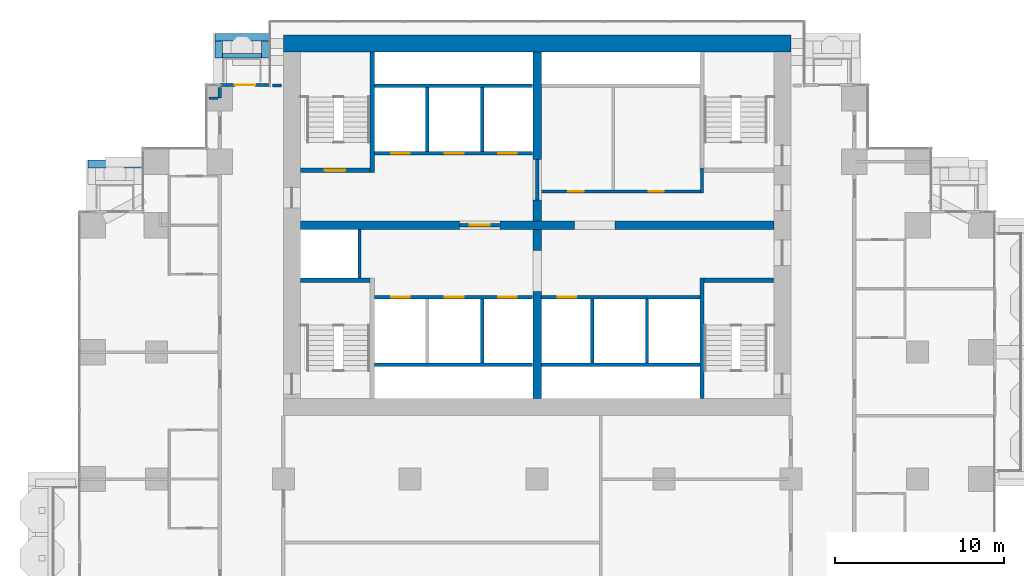
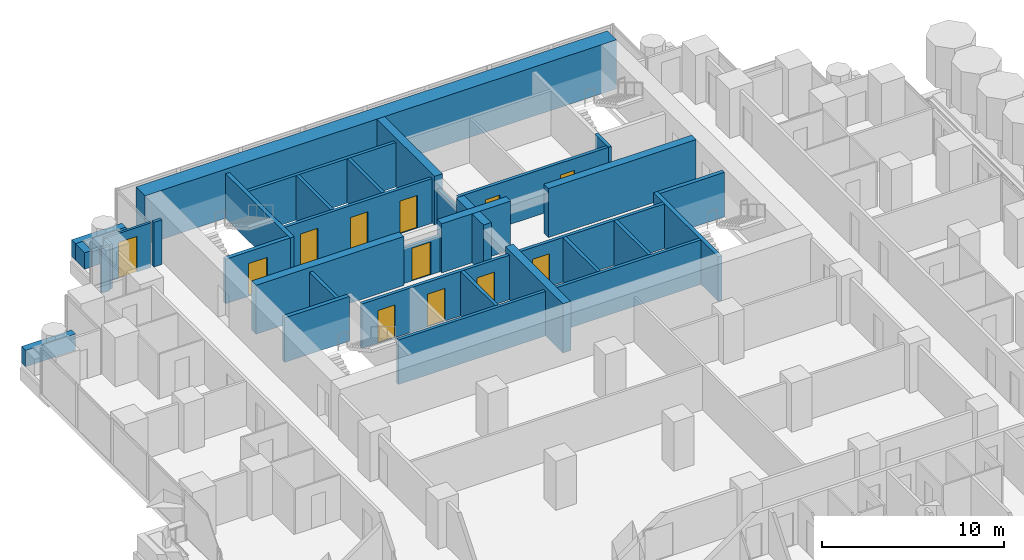
# One storey, part 14 of 19: 38 walls, 12 doors, 12 openings.
"""IFC4 building model written with IfcOpenShell, lengths in metres."""

from ifc_helpers import new_model, si_unit, direction, frame, frame_2d, origin, place, context, subcontext, project, spatial, rectangle, extrude, material, layer, layer_set, type_object, element, fill, save


model = new_model("IFC4")

# Units and contexts
model_context = context("Model", 3, precision=1e-05, world=origin(), true_north=direction((0.0, 1.0)))
body_context = subcontext(model_context, "Body", "Model", "MODEL_VIEW")
ifc_project = project(units=[si_unit("LENGTHUNIT", "METRE"), si_unit("AREAUNIT", "SQUARE_METRE"), si_unit("VOLUMEUNIT", "CUBIC_METRE"), si_unit("PLANEANGLEUNIT", "RADIAN"), si_unit("MASSUNIT", "GRAM", prefix="KILO")], contexts=[model_context])

# Site, building, storey
site_placement = place(None, origin())
site = spatial("IfcSite", under=ifc_project, at=site_placement, CompositionType="ELEMENT")
building_placement = place(site_placement, origin())
building = spatial("IfcBuilding", under=site, at=building_placement, Name="Pilkhan Gate Tower", CompositionType="ELEMENT")
storey_placement = place(building_placement, frame((0.0, 0.0, 72.5)))
storey = spatial("IfcBuildingStorey", under=building, at=storey_placement, Name="L16", CompositionType="ELEMENT", Elevation=72.5)

# Walls
ifc_material_1 = material(Name="Concrete C40/50", Category="concrete")
ifc_layer_1 = layer(ifc_material_1, 0.25)
ifc_layer_set_1 = layer_set([ifc_layer_1], Name="Balcony planter BP250")
wall_type_1 = type_object("IfcWallType", Name="Balcony planter BP250", PredefinedType="USERDEFINED", material=ifc_layer_set_1)
wall_1_placement = place(storey_placement, frame((56.39990234375, 92.52490234375, 0.0), z_axis=(0.0, 0.0, 1.0), x_axis=(1.0, 0.0, 0.0)))
element("IfcWall", 1, at=wall_1_placement, inside=storey, type_object=wall_type_1, Name="Balcony planter L16 N", ObjectType="BALCONY PLANTER", PredefinedType="USERDEFINED", context=body_context, shape_type="SweptSolid", body=[
    extrude(rectangle(XDim=2.300048828125, YDim=0.25, at=frame_2d((1.14990234375, 0.0))), origin(), (0.0, 0.0, 1.0), 1.0),
])
ifc_material_2 = material(Name="Board-marked Concrete C40/50", Category="concrete")
ifc_layer_2 = layer(ifc_material_2, 0.449951171875)
ifc_layer_set_2 = layer_set([ifc_layer_2], Name="Balcony planter lip BL450")
wall_type_2 = type_object("IfcWallType", Name="Balcony planter lip BL450", PredefinedType="USERDEFINED", material=ifc_layer_set_2)
wall_2_placement = place(storey_placement, frame((55.949951171875, 93.625, 0.0), z_axis=(0.0, 0.0, 1.0), x_axis=(1.0, 0.0, 0.0)))
element("IfcWall", 2, at=wall_2_placement, inside=storey, type_object=wall_type_2, Name="Balcony planter L16 N", ObjectType="BALCONY PLANTER", PredefinedType="USERDEFINED", context=body_context, shape_type="SweptSolid", body=[
    extrude(rectangle(XDim=3.199951171875, YDim=0.449951171875, at=frame_2d((1.60009765625, 0.0))), origin(), (0.0, 0.0, 1.0), 1.10009765625),
])
for number, where, z_axis, x_axis, name in (
    (3, (56.175048828125, 92.39990234375, 0.0), (0.0, 0.0, 1.0), (0.0, 1.0, 0.0), "Balcony planter L16 N"),
    (4, (58.925048828125, 92.39990234375, 0.0), (0.0, 0.0, 1.0), (0.0, 1.0, 0.0), "Balcony planter L16 N"),
):
    element("IfcWall", number, at=place(storey_placement, frame(where, z_axis=z_axis, x_axis=x_axis)), inside=storey, type_object=wall_type_2, Name=name, ObjectType="BALCONY PLANTER", PredefinedType="USERDEFINED", context=body_context, shape_type="SweptSolid", body=[
        extrude(rectangle(XDim=1.0, YDim=0.449951171875, at=frame_2d((0.5, 0.0))), origin(), (0.0, 0.0, 1.0), 1.10009765625),
    ])
wall_3_placement = place(storey_placement, frame((48.449951171875, 86.125, 0.0), z_axis=(0.0, 0.0, 1.0), x_axis=(1.0, 0.0, 0.0)))
element("IfcWall", 5, at=wall_3_placement, inside=storey, type_object=wall_type_2, Name="Balcony planter L16 N", ObjectType="BALCONY PLANTER", PredefinedType="USERDEFINED", context=body_context, shape_type="SweptSolid", body=[
    extrude(rectangle(XDim=3.179931640625, YDim=0.449951171875, at=frame_2d((1.58984375, 0.0))), origin(), (0.0, 0.0, 1.0), 1.10009765625),
])
ifc_material_3 = material(Name="Concrete C70/85", Category="concrete")
ifc_layer_3 = layer(ifc_material_3, 1.0)
ifc_layer_set_3 = layer_set([ifc_layer_3], Name="Core wall CW1000 C70/85")
wall_type_3 = type_object("IfcWallType", Name="Core wall CW1000 C70/85", PredefinedType="SHEAR", material=ifc_layer_set_3)
wall_4_placement = place(storey_placement, frame((90.0, 93.25, 0.0), z_axis=(0.0, 0.0, 1.0), x_axis=(-1.0, 0.0, 0.0)))
element("IfcWall", 6, at=wall_4_placement, inside=storey, type_object=wall_type_3, Name="Core wall N L16", PredefinedType="SHEAR", context=body_context, shape_type="SweptSolid", body=[
    extrude(rectangle(XDim=30.0, YDim=1.0, at=frame_2d((15.0, 0.0))), origin(), (0.0, 0.0, 1.0), 3.300048828125),
])
ifc_material_4 = material(Name="Dense blockwork", Category="masonry")
ifc_layer_4 = layer(ifc_material_4, 0.199951171875)
ifc_layer_set_4 = layer_set([ifc_layer_4], Name="Corridor wall FW200")
wall_type_4 = type_object("IfcWallType", Name="Corridor wall FW200", PredefinedType="PARTITIONING", material=ifc_layer_set_4)
wall_5_placement = place(storey_placement, frame((59.35498046875, 90.764892578125, 0.0), z_axis=(0.0, 0.0, 1.0), x_axis=(1.0, 0.0, 0.0)))
element("IfcWall", 7, at=wall_5_placement, inside=storey, type_object=wall_type_4, Name="Partition L16", PredefinedType="PARTITIONING", context=body_context, shape_type="SweptSolid", body=[
    extrude(rectangle(XDim=0.52490234375, YDim=0.199951171875, at=frame_2d((0.262451171875, 0.0))), origin(), (0.0, 0.0, 1.0), 3.0),
])
wall_6_placement = place(storey_placement, frame((56.25, 90.030029296875, 0.0), z_axis=(0.0, 0.0, 1.0), x_axis=(0.0, 1.0, 0.0)))
element("IfcWall", 8, at=wall_6_placement, inside=storey, type_object=wall_type_4, Name="Partition L16", PredefinedType="PARTITIONING", context=body_context, shape_type="SweptSolid", body=[
    extrude(rectangle(XDim=0.614990234375, YDim=0.199951171875, at=frame_2d((0.3076171875, 0.0))), origin(), (0.0, 0.0, 1.0), 3.0),
])

# Wall, opening, door
ifc_material_5 = material(Name="Pale anodised aluminium, clear laminated glazing", Category="aluminium")
ifc_layer_5 = layer(ifc_material_5, 0.14990234375)
ifc_layer_set_5 = layer_set([ifc_layer_5], Name="Facade infill wall IW150")
wall_type_5 = type_object("IfcWallType", Name="Facade infill wall IW150", PredefinedType="SOLIDWALL", material=ifc_layer_set_5)
wall_7_placement = place(storey_placement, frame((56.25, 90.794921875, 0.0), z_axis=(0.0, 0.0, 1.0), x_axis=(1.0, 0.0, 0.0)))
wall_7 = element("IfcWall", 9, at=wall_7_placement, inside=storey, type_object=wall_type_5, Name="Infill wall L16 N", PredefinedType="SOLIDWALL", context=body_context, shape_type="SweptSolid", body=[
    extrude(rectangle(XDim=2.955078125, YDim=0.14990234375, at=frame_2d((1.4775390625, 0.0))), origin(), (0.0, 0.0, 1.0), 3.0),
])
opening_1_placement = place(wall_7_placement, frame((0.87744140625, 0.0, 0.0)))
opening_1 = element("IfcOpeningElement", 10, at=opening_1_placement, cuts=wall_7, Name="Opening D1", PredefinedType="OPENING", context=body_context, shape_type="SweptSolid", body=[
    extrude(rectangle(XDim=1.199951171875, YDim=2.39990234375, at=frame_2d((0.60009765625, 1.199951171875))), frame((0.0, 0.0849609375, 0.0), z_axis=(0.0, -1.0, 0.0), x_axis=(1.0, 0.0, 0.0)), (0.0, 0.0, 1.0), 0.169921875),
])
ifc_material_6 = material(Name="Pale anodised aluminium, clear glazing", Category="aluminium")
door_type_1 = type_object("IfcDoorType", Name="Balcony door D1 1200x2400", OperationType="SINGLE_SWING_LEFT", PredefinedType="DOOR", material=ifc_material_6)
door_1_placement = place(opening_1_placement, origin())
door_1 = element("IfcDoor", 11, at=door_1_placement, inside=storey, type_object=door_type_1, Name="Balcony door L16", OperationType="SINGLE_SWING_LEFT", OverallHeight=2.39990234375, OverallWidth=1.199951171875, PredefinedType="DOOR", context=body_context, shape_type="SweptSolid", body=[
    extrude(rectangle(XDim=1.199951171875, YDim=2.39990234375, at=frame_2d((0.60009765625, 1.199951171875))), frame((0.0, 0.02490234375, 0.0), z_axis=(0.0, -1.0, 0.0), x_axis=(1.0, 0.0, 0.0)), (0.0, 0.0, 1.0), 0.050048828125),
])
fill(opening_1, door_1)

ifc_layer_6 = layer(ifc_material_4, 0.199951171875)
ifc_layer_set_6 = layer_set([ifc_layer_6], Name="Lobby wall LW200")
wall_type_6 = type_object("IfcWallType", Name="Lobby wall LW200", PredefinedType="PARTITIONING", material=ifc_layer_set_6)
wall_8_placement = place(storey_placement, frame((70.409912109375, 82.5, 0.0), z_axis=(0.0, 0.0, 1.0), x_axis=(1.0, 0.0, 0.0)))
wall_8 = element("IfcWall", 12, at=wall_8_placement, inside=storey, type_object=wall_type_6, Name="Partition L16", PredefinedType="PARTITIONING", context=body_context, shape_type="SweptSolid", body=[
    extrude(rectangle(XDim=2.380126953125, YDim=0.199951171875, at=frame_2d((1.18994140625, 0.0))), origin(), (0.0, 0.0, 1.0), 2.39990234375),
])
opening_2_placement = place(wall_8_placement, frame((0.60009765625, 0.0, 0.0)))
opening_2 = element("IfcOpeningElement", 13, at=opening_2_placement, cuts=wall_8, Name="Opening L16-01", PredefinedType="OPENING", context=body_context, shape_type="SweptSolid", body=[
    extrude(rectangle(XDim=1.199951171875, YDim=2.199951171875, at=frame_2d((0.60009765625, 1.10009765625))), frame((0.0, 0.10986328125, 0.0), z_axis=(0.0, -1.0, 0.0), x_axis=(1.0, 0.0, 0.0)), (0.0, 0.0, 1.0), 0.219970703125),
])
ifc_material_7 = material(Name="Steel door, 120 minute fire resisting, self-closing", Category="steel")
door_type_2 = type_object("IfcDoorType", Name="Firefighting lobby door D10 1200x2200", OperationType="SINGLE_SWING_LEFT", PredefinedType="DOOR", material=ifc_material_7)
door_2_placement = place(opening_2_placement, origin())
door_2 = element("IfcDoor", 14, at=door_2_placement, inside=storey, type_object=door_type_2, Name="Firefighting lobby door", OperationType="SINGLE_SWING_LEFT", OverallHeight=2.199951171875, OverallWidth=1.199951171875, PredefinedType="DOOR", context=body_context, shape_type="SweptSolid", body=[
    extrude(rectangle(XDim=1.199951171875, YDim=2.199951171875, at=frame_2d((0.60009765625, 1.10009765625))), frame((0.0, 0.02490234375, 0.0), z_axis=(0.0, -1.0, 0.0), x_axis=(1.0, 0.0, 0.0)), (0.0, 0.0, 1.0), 0.050048828125),
])
fill(opening_2, door_2)

# Wall, openings, doors
wall_9_placement = place(storey_placement, frame((75.10009765625, 84.5, 0.0), z_axis=(0.0, 0.0, 1.0), x_axis=(1.0, 0.0, 0.0)))
wall_9 = element("IfcWall", 15, at=wall_9_placement, inside=storey, type_object=wall_type_6, Name="Partition L16", PredefinedType="PARTITIONING", context=body_context, shape_type="SweptSolid", body=[
    extrude(rectangle(XDim=9.5498046875, YDim=0.199951171875, at=frame_2d((4.77490234375, 0.0))), origin(), (0.0, 0.0, 1.0), 3.0),
])
opening_3_placement = place(wall_9_placement, frame((1.75, 0.0, 0.0)))
opening_3 = element("IfcOpeningElement", 16, at=opening_3_placement, cuts=wall_9, Name="Opening L16-49", PredefinedType="OPENING", context=body_context, shape_type="SweptSolid", body=[
    extrude(rectangle(XDim=0.89990234375, YDim=2.199951171875, at=frame_2d((0.449951171875, 1.10009765625))), frame((0.0, 0.10986328125, 0.0), z_axis=(0.0, -1.0, 0.0), x_axis=(1.0, 0.0, 0.0)), (0.0, 0.0, 1.0), 0.219970703125),
])
opening_4_placement = place(wall_9_placement, frame((6.5, 0.0, 0.0)))
opening_4 = element("IfcOpeningElement", 17, at=opening_4_placement, cuts=wall_9, Name="Opening L16-50", PredefinedType="OPENING", context=body_context, shape_type="SweptSolid", body=[
    extrude(rectangle(XDim=0.89990234375, YDim=2.199951171875, at=frame_2d((0.449951171875, 1.10009765625))), frame((0.0, 0.10986328125, 0.0), z_axis=(0.0, -1.0, 0.0), x_axis=(1.0, 0.0, 0.0)), (0.0, 0.0, 1.0), 0.219970703125),
])
ifc_material_8 = material(Name="Timber flush door, 60 minute fire resisting, self-closing", Category="wood")
door_type_3 = type_object("IfcDoorType", Name="Store door D05 900x2200", OperationType="SINGLE_SWING_LEFT", PredefinedType="DOOR", material=ifc_material_8)
door_3_placement = place(opening_3_placement, origin())
door_3 = element("IfcDoor", 18, at=door_3_placement, inside=storey, type_object=door_type_3, Name="Store door", OperationType="SINGLE_SWING_LEFT", OverallHeight=2.199951171875, OverallWidth=0.89990234375, PredefinedType="DOOR", context=body_context, shape_type="SweptSolid", body=[
    extrude(rectangle(XDim=0.89990234375, YDim=2.199951171875, at=frame_2d((0.449951171875, 1.10009765625))), frame((0.0, 0.02490234375, 0.0), z_axis=(0.0, -1.0, 0.0), x_axis=(1.0, 0.0, 0.0)), (0.0, 0.0, 1.0), 0.050048828125),
])
fill(opening_3, door_3)
door_4_placement = place(opening_4_placement, origin())
door_4 = element("IfcDoor", 19, at=door_4_placement, inside=storey, type_object=door_type_3, Name="Store door", OperationType="SINGLE_SWING_LEFT", OverallHeight=2.199951171875, OverallWidth=0.89990234375, PredefinedType="DOOR", context=body_context, shape_type="SweptSolid", body=[
    extrude(rectangle(XDim=0.89990234375, YDim=2.199951171875, at=frame_2d((0.449951171875, 1.10009765625))), frame((0.0, 0.02490234375, 0.0), z_axis=(0.0, -1.0, 0.0), x_axis=(1.0, 0.0, 0.0)), (0.0, 0.0, 1.0), 0.050048828125),
])
fill(opening_4, door_4)

# Walls
wall_10_placement = place(storey_placement, frame((75.0, 84.010009765625, 0.0), z_axis=(0.0, 0.0, 1.0), x_axis=(0.0, 1.0, 0.0)))
element("IfcWall", 20, at=wall_10_placement, inside=storey, type_object=wall_type_6, Name="Partition L16", PredefinedType="PARTITIONING", context=body_context, shape_type="SweptSolid", body=[
    extrude(rectangle(XDim=2.3798828125, YDim=0.199951171875, at=frame_2d((1.18994140625, 0.0))), origin(), (0.0, 0.0, 1.0), 2.39990234375),
])
wall_11_placement = place(storey_placement, frame((84.75, 84.39990234375, 0.0), z_axis=(0.0, 0.0, 1.0), x_axis=(0.0, 1.0, 0.0)))
element("IfcWall", 21, at=wall_11_placement, inside=storey, type_object=wall_type_6, Name="Partition L16", PredefinedType="PARTITIONING", context=body_context, shape_type="SweptSolid", body=[
    extrude(rectangle(XDim=1.47509765625, YDim=0.199951171875, at=frame_2d((0.737548828125, 0.0))), origin(), (0.0, 0.0, 1.0), 3.0),
])
ifc_material_9 = material(Name="Blockwork partition, plastered both sides", Category="masonry")
ifc_layer_7 = layer(ifc_material_9, 0.14990234375)
ifc_layer_set_7 = layer_set([ifc_layer_7], Name="Partition PW150")
wall_type_7 = type_object("IfcWallType", Name="Partition PW150", PredefinedType="PARTITIONING", material=ifc_layer_set_7)
wall_12_placement = place(storey_placement, frame((55.60498046875, 90.0, 0.0), z_axis=(0.0, 0.0, 1.0), x_axis=(1.0, 0.0, 0.0)))
element("IfcWall", 22, at=wall_12_placement, inside=storey, type_object=wall_type_7, Name="Partition L16", PredefinedType="PARTITIONING", context=body_context, shape_type="SweptSolid", body=[
    extrude(rectangle(XDim=0.544921875, YDim=0.14990234375, at=frame_2d((0.2724609375, 0.0))), origin(), (0.0, 0.0, 1.0), 3.0),
])
ifc_material_10 = material(Name="Reinforced blockwork shaft wall, 120 minute fire resisting", Category="masonry")
ifc_layer_8 = layer(ifc_material_10, 0.199951171875)
ifc_layer_set_8 = layer_set([ifc_layer_8], Name="Shaft wall SW200")
wall_type_8 = type_object("IfcWallType", Name="Shaft wall SW200", PredefinedType="PARTITIONING", material=ifc_layer_set_8)
for number, where, z_axis, x_axis, name in (
    (23, (65.375, 74.25, 0.0), (0.0, 0.0, 1.0), (1.0, 0.0, 0.0), "Partition L16"),
    (24, (75.260009765625, 74.25, 0.0), (0.0, 0.0, 1.0), (1.0, 0.0, 0.0), "Partition L16"),
):
    element("IfcWall", number, at=place(storey_placement, frame(where, z_axis=z_axis, x_axis=x_axis)), inside=storey, type_object=wall_type_8, Name=name, PredefinedType="PARTITIONING", context=body_context, shape_type="SweptSolid", body=[
        extrude(rectangle(XDim=9.364990234375, YDim=0.199951171875, at=frame_2d((4.6826171875, 0.0))), origin(), (0.0, 0.0, 1.0), 3.0),
    ])

# Wall, openings, doors
wall_13_placement = place(storey_placement, frame((65.375, 78.25, 0.0), z_axis=(0.0, 0.0, 1.0), x_axis=(1.0, 0.0, 0.0)))
wall_13 = element("IfcWall", 25, at=wall_13_placement, inside=storey, type_object=wall_type_8, Name="Partition L16", PredefinedType="PARTITIONING", context=body_context, shape_type="SweptSolid", body=[
    extrude(rectangle(XDim=9.364990234375, YDim=0.199951171875, at=frame_2d((4.6826171875, 0.0))), origin(), (0.0, 0.0, 1.0), 3.0),
])
opening_5_placement = place(wall_13_placement, frame((1.0, 0.0, 0.0)))
opening_5 = element("IfcOpeningElement", 26, at=opening_5_placement, cuts=wall_13, Name="Opening LD", PredefinedType="OPENING", context=body_context, shape_type="SweptSolid", body=[
    extrude(rectangle(XDim=1.10009765625, YDim=2.199951171875, at=frame_2d((0.550048828125, 1.10009765625))), frame((0.0, 0.10986328125, 0.0), z_axis=(0.0, -1.0, 0.0), x_axis=(1.0, 0.0, 0.0)), (0.0, 0.0, 1.0), 0.219970703125),
])
opening_6_placement = place(wall_13_placement, frame((4.175048828125, 0.0, 0.0)))
opening_6 = element("IfcOpeningElement", 27, at=opening_6_placement, cuts=wall_13, Name="Opening LD", PredefinedType="OPENING", context=body_context, shape_type="SweptSolid", body=[
    extrude(rectangle(XDim=1.10009765625, YDim=2.199951171875, at=frame_2d((0.550048828125, 1.10009765625))), frame((0.0, 0.10986328125, 0.0), z_axis=(0.0, -1.0, 0.0), x_axis=(1.0, 0.0, 0.0)), (0.0, 0.0, 1.0), 0.219970703125),
])
opening_7_placement = place(wall_13_placement, frame((7.324951171875, 0.0, 0.0)))
opening_7 = element("IfcOpeningElement", 28, at=opening_7_placement, cuts=wall_13, Name="Opening LD", PredefinedType="OPENING", context=body_context, shape_type="SweptSolid", body=[
    extrude(rectangle(XDim=1.10009765625, YDim=2.199951171875, at=frame_2d((0.550048828125, 1.10009765625))), frame((0.0, 0.10986328125, 0.0), z_axis=(0.0, -1.0, 0.0), x_axis=(1.0, 0.0, 0.0)), (0.0, 0.0, 1.0), 0.219970703125),
])
ifc_material_11 = material(Name="Stainless steel centre-opening landing door, 120 minute fire resisting", Category="steel")
door_type_4 = type_object("IfcDoorType", Name="Lift landing door LD 1100x2200", OperationType="DOUBLE_DOOR_SLIDING", PredefinedType="DOOR", material=ifc_material_11)
door_5_placement = place(opening_5_placement, origin())
door_5 = element("IfcDoor", 29, at=door_5_placement, inside=storey, type_object=door_type_4, Name="Landing door LR1", OperationType="DOUBLE_DOOR_SLIDING", OverallHeight=2.199951171875, OverallWidth=1.10009765625, PredefinedType="DOOR", context=body_context, shape_type="SweptSolid", body=[
    extrude(rectangle(XDim=1.10009765625, YDim=2.199951171875, at=frame_2d((0.550048828125, 1.10009765625))), frame((0.0, 0.02490234375, 0.0), z_axis=(0.0, -1.0, 0.0), x_axis=(1.0, 0.0, 0.0)), (0.0, 0.0, 1.0), 0.050048828125),
])
fill(opening_5, door_5)
door_6_placement = place(opening_6_placement, origin())
door_6 = element("IfcDoor", 30, at=door_6_placement, inside=storey, type_object=door_type_4, Name="Landing door LR2", OperationType="DOUBLE_DOOR_SLIDING", OverallHeight=2.199951171875, OverallWidth=1.10009765625, PredefinedType="DOOR", context=body_context, shape_type="SweptSolid", body=[
    extrude(rectangle(XDim=1.10009765625, YDim=2.199951171875, at=frame_2d((0.550048828125, 1.10009765625))), frame((0.0, 0.02490234375, 0.0), z_axis=(0.0, -1.0, 0.0), x_axis=(1.0, 0.0, 0.0)), (0.0, 0.0, 1.0), 0.050048828125),
])
fill(opening_6, door_6)
door_7_placement = place(opening_7_placement, origin())
door_7 = element("IfcDoor", 31, at=door_7_placement, inside=storey, type_object=door_type_4, Name="Landing door LR3", OperationType="DOUBLE_DOOR_SLIDING", OverallHeight=2.199951171875, OverallWidth=1.10009765625, PredefinedType="DOOR", context=body_context, shape_type="SweptSolid", body=[
    extrude(rectangle(XDim=1.10009765625, YDim=2.199951171875, at=frame_2d((0.550048828125, 1.10009765625))), frame((0.0, 0.02490234375, 0.0), z_axis=(0.0, -1.0, 0.0), x_axis=(1.0, 0.0, 0.0)), (0.0, 0.0, 1.0), 0.050048828125),
])
fill(opening_7, door_7)

# Wall, opening, door
wall_14_placement = place(storey_placement, frame((75.260009765625, 78.25, 0.0), z_axis=(0.0, 0.0, 1.0), x_axis=(1.0, 0.0, 0.0)))
wall_14 = element("IfcWall", 32, at=wall_14_placement, inside=storey, type_object=wall_type_8, Name="Partition L16", PredefinedType="PARTITIONING", context=body_context, shape_type="SweptSolid", body=[
    extrude(rectangle(XDim=9.364990234375, YDim=0.199951171875, at=frame_2d((4.6826171875, 0.0))), origin(), (0.0, 0.0, 1.0), 3.0),
])
opening_8_placement = place(wall_14_placement, frame((0.949951171875, 0.0, 0.0)))
opening_8 = element("IfcOpeningElement", 33, at=opening_8_placement, cuts=wall_14, Name="Opening LD", PredefinedType="OPENING", context=body_context, shape_type="SweptSolid", body=[
    extrude(rectangle(XDim=1.10009765625, YDim=2.199951171875, at=frame_2d((0.550048828125, 1.10009765625))), frame((0.0, 0.10986328125, 0.0), z_axis=(0.0, -1.0, 0.0), x_axis=(1.0, 0.0, 0.0)), (0.0, 0.0, 1.0), 0.219970703125),
])
door_8_placement = place(opening_8_placement, origin())
door_8 = element("IfcDoor", 34, at=door_8_placement, inside=storey, type_object=door_type_4, Name="Landing door LR4", OperationType="DOUBLE_DOOR_SLIDING", OverallHeight=2.199951171875, OverallWidth=1.10009765625, PredefinedType="DOOR", context=body_context, shape_type="SweptSolid", body=[
    extrude(rectangle(XDim=1.10009765625, YDim=2.199951171875, at=frame_2d((0.550048828125, 1.10009765625))), frame((0.0, 0.02490234375, 0.0), z_axis=(0.0, -1.0, 0.0), x_axis=(1.0, 0.0, 0.0)), (0.0, 0.0, 1.0), 0.050048828125),
])
fill(opening_8, door_8)

# Wall, openings, doors
wall_15_placement = place(storey_placement, frame((65.375, 86.75, 0.0), z_axis=(0.0, 0.0, 1.0), x_axis=(1.0, 0.0, 0.0)))
wall_15 = element("IfcWall", 35, at=wall_15_placement, inside=storey, type_object=wall_type_8, Name="Partition L16", PredefinedType="PARTITIONING", context=body_context, shape_type="SweptSolid", body=[
    extrude(rectangle(XDim=9.364990234375, YDim=0.199951171875, at=frame_2d((4.6826171875, 0.0))), origin(), (0.0, 0.0, 1.0), 3.0),
])
opening_9_placement = place(wall_15_placement, frame((1.0, 0.0, 0.0)))
opening_9 = element("IfcOpeningElement", 36, at=opening_9_placement, cuts=wall_15, Name="Opening LD", PredefinedType="OPENING", context=body_context, shape_type="SweptSolid", body=[
    extrude(rectangle(XDim=1.10009765625, YDim=2.199951171875, at=frame_2d((0.550048828125, 1.10009765625))), frame((0.0, 0.10986328125, 0.0), z_axis=(0.0, -1.0, 0.0), x_axis=(1.0, 0.0, 0.0)), (0.0, 0.0, 1.0), 0.219970703125),
])
opening_10_placement = place(wall_15_placement, frame((4.175048828125, 0.0, 0.0)))
opening_10 = element("IfcOpeningElement", 37, at=opening_10_placement, cuts=wall_15, Name="Opening LD", PredefinedType="OPENING", context=body_context, shape_type="SweptSolid", body=[
    extrude(rectangle(XDim=1.10009765625, YDim=2.199951171875, at=frame_2d((0.550048828125, 1.10009765625))), frame((0.0, 0.10986328125, 0.0), z_axis=(0.0, -1.0, 0.0), x_axis=(1.0, 0.0, 0.0)), (0.0, 0.0, 1.0), 0.219970703125),
])
opening_11_placement = place(wall_15_placement, frame((7.324951171875, 0.0, 0.0)))
opening_11 = element("IfcOpeningElement", 38, at=opening_11_placement, cuts=wall_15, Name="Opening LD", PredefinedType="OPENING", context=body_context, shape_type="SweptSolid", body=[
    extrude(rectangle(XDim=1.10009765625, YDim=2.199951171875, at=frame_2d((0.550048828125, 1.10009765625))), frame((0.0, 0.10986328125, 0.0), z_axis=(0.0, -1.0, 0.0), x_axis=(1.0, 0.0, 0.0)), (0.0, 0.0, 1.0), 0.219970703125),
])
door_9_placement = place(opening_9_placement, origin())
door_9 = element("IfcDoor", 39, at=door_9_placement, inside=storey, type_object=door_type_4, Name="Landing door FF1", OperationType="DOUBLE_DOOR_SLIDING", OverallHeight=2.199951171875, OverallWidth=1.10009765625, PredefinedType="DOOR", context=body_context, shape_type="SweptSolid", body=[
    extrude(rectangle(XDim=1.10009765625, YDim=2.199951171875, at=frame_2d((0.550048828125, 1.10009765625))), frame((0.0, 0.02490234375, 0.0), z_axis=(0.0, -1.0, 0.0), x_axis=(1.0, 0.0, 0.0)), (0.0, 0.0, 1.0), 0.050048828125),
])
fill(opening_9, door_9)
door_10_placement = place(opening_10_placement, origin())
door_10 = element("IfcDoor", 40, at=door_10_placement, inside=storey, type_object=door_type_4, Name="Landing door FF2", OperationType="DOUBLE_DOOR_SLIDING", OverallHeight=2.199951171875, OverallWidth=1.10009765625, PredefinedType="DOOR", context=body_context, shape_type="SweptSolid", body=[
    extrude(rectangle(XDim=1.10009765625, YDim=2.199951171875, at=frame_2d((0.550048828125, 1.10009765625))), frame((0.0, 0.02490234375, 0.0), z_axis=(0.0, -1.0, 0.0), x_axis=(1.0, 0.0, 0.0)), (0.0, 0.0, 1.0), 0.050048828125),
])
fill(opening_10, door_10)
door_11_placement = place(opening_11_placement, origin())
door_11 = element("IfcDoor", 41, at=door_11_placement, inside=storey, type_object=door_type_4, Name="Landing door SV1", OperationType="DOUBLE_DOOR_SLIDING", OverallHeight=2.199951171875, OverallWidth=1.10009765625, PredefinedType="DOOR", context=body_context, shape_type="SweptSolid", body=[
    extrude(rectangle(XDim=1.10009765625, YDim=2.199951171875, at=frame_2d((0.550048828125, 1.10009765625))), frame((0.0, 0.02490234375, 0.0), z_axis=(0.0, -1.0, 0.0), x_axis=(1.0, 0.0, 0.0)), (0.0, 0.0, 1.0), 0.050048828125),
])
fill(opening_11, door_11)

# Walls
wall_16_placement = place(storey_placement, frame((65.375, 90.75, 0.0), z_axis=(0.0, 0.0, 1.0), x_axis=(1.0, 0.0, 0.0)))
element("IfcWall", 42, at=wall_16_placement, inside=storey, type_object=wall_type_8, Name="Partition L16", PredefinedType="PARTITIONING", context=body_context, shape_type="SweptSolid", body=[
    extrude(rectangle(XDim=9.364990234375, YDim=0.199951171875, at=frame_2d((4.6826171875, 0.0))), origin(), (0.0, 0.0, 1.0), 3.0),
])
wall_17_placement = place(storey_placement, frame((64.5, 79.375, 0.0), z_axis=(0.0, 0.0, 1.0), x_axis=(0.0, 1.0, 0.0)))
element("IfcWall", 43, at=wall_17_placement, inside=storey, type_object=wall_type_8, Name="Partition L16", PredefinedType="PARTITIONING", context=body_context, shape_type="SweptSolid", body=[
    extrude(rectangle(XDim=2.864990234375, YDim=0.199951171875, at=frame_2d((1.4326171875, 0.0))), origin(), (0.0, 0.0, 1.0), 3.0),
])
for number, where, z_axis, x_axis, name in (
    (44, (68.5, 86.85009765625, 0.0), (0.0, 0.0, 1.0), (0.0, 1.0, 0.0), "Partition L16"),
    (45, (71.75, 74.35009765625, 0.0), (0.0, 0.0, 1.0), (0.0, 1.0, 0.0), "Partition L16"),
    (46, (71.75, 86.85009765625, 0.0), (0.0, 0.0, 1.0), (0.0, 1.0, 0.0), "Partition L16"),
    (47, (78.25, 74.35009765625, 0.0), (0.0, 0.0, 1.0), (0.0, 1.0, 0.0), "Partition L16"),
    (48, (81.5, 74.35009765625, 0.0), (0.0, 0.0, 1.0), (0.0, 1.0, 0.0), "Partition L16"),
):
    element("IfcWall", number, at=place(storey_placement, frame(where, z_axis=z_axis, x_axis=x_axis)), inside=storey, type_object=wall_type_8, Name=name, PredefinedType="PARTITIONING", context=body_context, shape_type="SweptSolid", body=[
        extrude(rectangle(XDim=3.7998046875, YDim=0.199951171875, at=frame_2d((1.89990234375, 0.0))), origin(), (0.0, 0.0, 1.0), 3.0),
    ])
ifc_layer_9 = layer(ifc_material_3, 0.5)
ifc_layer_set_9 = layer_set([ifc_layer_9], Name="Spine wall SW500 C70/85")
wall_type_9 = type_object("IfcWallType", Name="Spine wall SW500 C70/85", PredefinedType="SHEAR", material=ifc_layer_set_9)
wall_18_placement = place(storey_placement, frame((61.0, 82.5, 0.0), z_axis=(0.0, 0.0, 1.0), x_axis=(1.0, 0.0, 0.0)))
element("IfcWall", 49, at=wall_18_placement, inside=storey, type_object=wall_type_9, Name="Spine wall SP-EW1 L16", PredefinedType="SHEAR", context=body_context, shape_type="SweptSolid", body=[
    extrude(rectangle(XDim=9.39990234375, YDim=0.5, at=frame_2d((4.699951171875, 0.0))), origin(), (0.0, 0.0, 1.0), 3.300048828125),
])
wall_19_placement = place(storey_placement, frame((72.800048828125, 82.5, 0.0), z_axis=(0.0, 0.0, 1.0), x_axis=(1.0, 0.0, 0.0)))
element("IfcWall", 50, at=wall_19_placement, inside=storey, type_object=wall_type_9, Name="Spine wall SP-EW2 L16", PredefinedType="SHEAR", context=body_context, shape_type="SweptSolid", body=[
    extrude(rectangle(XDim=4.39990234375, YDim=0.5, at=frame_2d((2.199951171875, 0.0))), origin(), (0.0, 0.0, 1.0), 3.300048828125),
])
wall_20_placement = place(storey_placement, frame((79.60009765625, 82.5, 0.0), z_axis=(0.0, 0.0, 1.0), x_axis=(1.0, 0.0, 0.0)))
element("IfcWall", 51, at=wall_20_placement, inside=storey, type_object=wall_type_9, Name="Spine wall SP-EW3 L16", PredefinedType="SHEAR", context=body_context, shape_type="SweptSolid", body=[
    extrude(rectangle(XDim=9.39990234375, YDim=0.5, at=frame_2d((4.699951171875, 0.0))), origin(), (0.0, 0.0, 1.0), 3.300048828125),
])
wall_21_placement = place(storey_placement, frame((75.0, 72.25, 0.0), z_axis=(0.0, 0.0, 1.0), x_axis=(0.0, 1.0, 0.0)))
element("IfcWall", 52, at=wall_21_placement, inside=storey, type_object=wall_type_9, Name="Spine wall SP-NS-S1 L16", PredefinedType="SHEAR", context=body_context, shape_type="SweptSolid", body=[
    extrude(rectangle(XDim=6.35009765625, YDim=0.5, at=frame_2d((3.175048828125, 0.0))), origin(), (0.0, 0.0, 1.0), 3.300048828125),
])
for number, where, z_axis, x_axis, name in (
    (53, (75.0, 81.0, 0.0), (0.0, 0.0, 1.0), (0.0, 1.0, 0.0), "Spine wall SP-NS-S2 L16"),
    (54, (75.0, 82.75, 0.0), (0.0, 0.0, 1.0), (0.0, 1.0, 0.0), "Spine wall SP-NS-N1 L16"),
):
    element("IfcWall", number, at=place(storey_placement, frame(where, z_axis=z_axis, x_axis=x_axis)), inside=storey, type_object=wall_type_9, Name=name, PredefinedType="SHEAR", context=body_context, shape_type="SweptSolid", body=[
        extrude(rectangle(XDim=1.25, YDim=0.5, at=frame_2d((0.625, 0.0))), origin(), (0.0, 0.0, 1.0), 3.300048828125),
    ])
wall_22_placement = place(storey_placement, frame((75.0, 86.39990234375, 0.0), z_axis=(0.0, 0.0, 1.0), x_axis=(0.0, 1.0, 0.0)))
element("IfcWall", 55, at=wall_22_placement, inside=storey, type_object=wall_type_9, Name="Spine wall SP-NS-N2 L16", PredefinedType="SHEAR", context=body_context, shape_type="SweptSolid", body=[
    extrude(rectangle(XDim=6.35009765625, YDim=0.5, at=frame_2d((3.175048828125, 0.0))), origin(), (0.0, 0.0, 1.0), 3.300048828125),
])
ifc_material_12 = material(Name="Reinforced blockwork, 120 minute fire resisting", Category="masonry")
ifc_layer_10 = layer(ifc_material_12, 0.25)
ifc_layer_set_10 = layer_set([ifc_layer_10], Name="Stair enclosure wall SE250")
wall_type_10 = type_object("IfcWallType", Name="Stair enclosure wall SE250", PredefinedType="PARTITIONING", material=ifc_layer_set_10)
for number, where, z_axis, x_axis, name in (
    (56, (61.010009765625, 79.25, 0.0), (0.0, 0.0, 1.0), (1.0, 0.0, 0.0), "Partition L16"),
    (57, (84.875, 79.25, 0.0), (0.0, 0.0, 1.0), (1.0, 0.0, 0.0), "Partition L16"),
):
    element("IfcWall", number, at=place(storey_placement, frame(where, z_axis=z_axis, x_axis=x_axis)), inside=storey, type_object=wall_type_10, Name=name, PredefinedType="PARTITIONING", context=body_context, shape_type="SweptSolid", body=[
        extrude(rectangle(XDim=4.114990234375, YDim=0.25, at=frame_2d((2.0576171875, 0.0))), origin(), (0.0, 0.0, 1.0), 3.0),
    ])

# Wall, opening, door
wall_23_placement = place(storey_placement, frame((61.010009765625, 85.75, 0.0), z_axis=(0.0, 0.0, 1.0), x_axis=(1.0, 0.0, 0.0)))
wall_23 = element("IfcWall", 58, at=wall_23_placement, inside=storey, type_object=wall_type_10, Name="Partition L16", PredefinedType="PARTITIONING", context=body_context, shape_type="SweptSolid", body=[
    extrude(rectangle(XDim=4.114990234375, YDim=0.25, at=frame_2d((2.0576171875, 0.0))), origin(), (0.0, 0.0, 1.0), 3.0),
])
opening_12_placement = place(wall_23_placement, frame((1.449951171875, 0.0, 0.0)))
opening_12 = element("IfcOpeningElement", 59, at=opening_12_placement, cuts=wall_23, Name="Opening L16-02", PredefinedType="OPENING", context=body_context, shape_type="SweptSolid", body=[
    extrude(rectangle(XDim=1.199951171875, YDim=2.199951171875, at=frame_2d((0.60009765625, 1.10009765625))), frame((0.0, 0.135009765625, 0.0), z_axis=(0.0, -1.0, 0.0), x_axis=(1.0, 0.0, 0.0)), (0.0, 0.0, 1.0), 0.27001953125),
])
ifc_material_13 = material(Name="Steel door, 120 minute fire resisting, panic bar", Category="steel")
door_type_5 = type_object("IfcDoorType", Name="Stair door D11 1200x2200", OperationType="SINGLE_SWING_LEFT", PredefinedType="DOOR", material=ifc_material_13)
door_12_placement = place(opening_12_placement, origin())
door_12 = element("IfcDoor", 60, at=door_12_placement, inside=storey, type_object=door_type_5, Name="Stair ST3 lobby door", OperationType="SINGLE_SWING_LEFT", OverallHeight=2.199951171875, OverallWidth=1.199951171875, PredefinedType="DOOR", context=body_context, shape_type="SweptSolid", body=[
    extrude(rectangle(XDim=1.199951171875, YDim=2.199951171875, at=frame_2d((0.60009765625, 1.10009765625))), frame((0.0, 0.02490234375, 0.0), z_axis=(0.0, -1.0, 0.0), x_axis=(1.0, 0.0, 0.0)), (0.0, 0.0, 1.0), 0.050048828125),
])
fill(opening_12, door_12)

# Walls
for number, where, z_axis, x_axis, name in (
    (61, (65.25, 85.625, 0.0), (0.0, 0.0, 1.0), (0.0, 1.0, 0.0), "Partition L16"),
    (62, (84.75, 72.260009765625, 0.0), (0.0, 0.0, 1.0), (0.0, 1.0, 0.0), "Partition L16"),
):
    element("IfcWall", number, at=place(storey_placement, frame(where, z_axis=z_axis, x_axis=x_axis)), inside=storey, type_object=wall_type_10, Name=name, PredefinedType="PARTITIONING", context=body_context, shape_type="SweptSolid", body=[
        extrude(rectangle(XDim=7.114990234375, YDim=0.25, at=frame_2d((3.5576171875, 0.0))), origin(), (0.0, 0.0, 1.0), 3.0),
    ])

save(model, "model.ifc")
